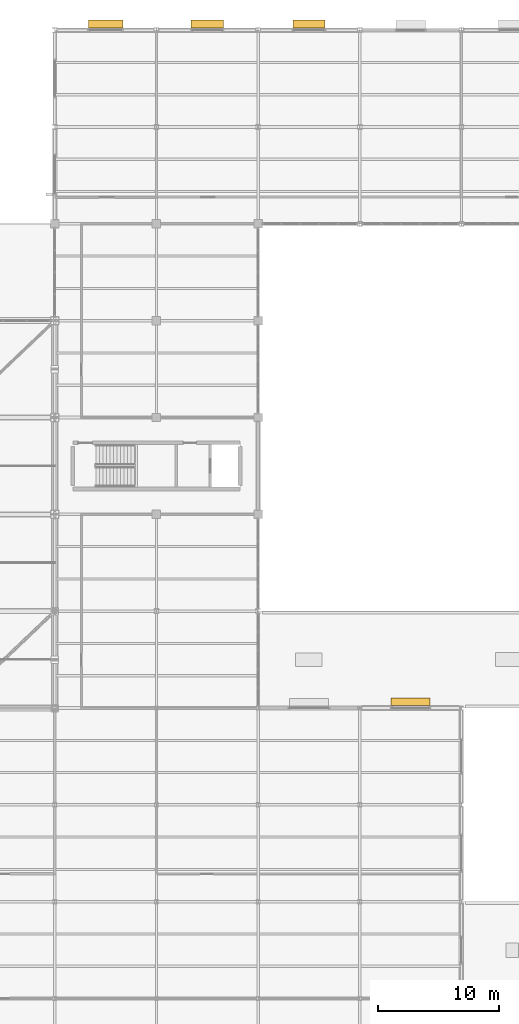
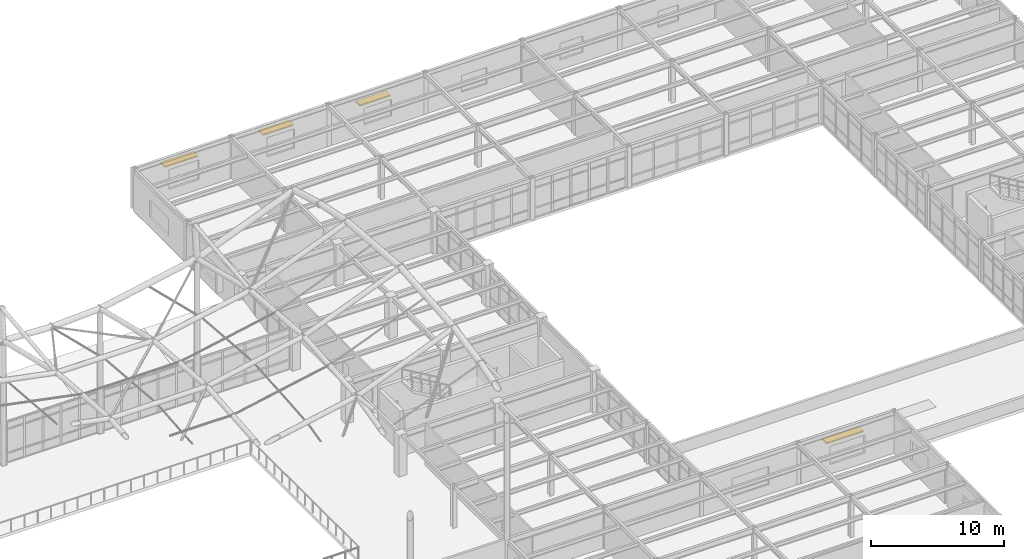
# One storey, part 136 of 138: 4 shading devices.
"""IFC4 building model written with IfcOpenShell, lengths in metres."""

from ifc_helpers import new_model, si_unit, direction, frame, origin, origin_2d, place, context, subcontext, project, spatial, rectangle, extrude, material, type_object, element, save


model = new_model("IFC4")

# Units and contexts
model_context = context("Model", 3, precision=1e-05, world=origin(), true_north=direction((0.0, 1.0)))
body_context = subcontext(model_context, "Body", "Model", "MODEL_VIEW")
ifc_project = project(units=[si_unit("LENGTHUNIT", "METRE"), si_unit("AREAUNIT", "SQUARE_METRE"), si_unit("VOLUMEUNIT", "CUBIC_METRE"), si_unit("PLANEANGLEUNIT", "RADIAN"), si_unit("MASSUNIT", "GRAM", prefix="KILO")], contexts=[model_context])

# Site, building, storey
site_placement = place(None, origin())
site = spatial("IfcSite", under=ifc_project, at=site_placement, CompositionType="ELEMENT")
building_placement = place(site_placement, origin())
building = spatial("IfcBuilding", under=site, at=building_placement, Name="Kranzveld Transit Interchange", CompositionType="ELEMENT")
storey_placement = place(building_placement, frame((0.0, 0.0, 5.43994140625)))
storey = spatial("IfcBuildingStorey", under=building, at=storey_placement, Name="L01", CompositionType="ELEMENT", Elevation=5.43994140625)

# Shading devices
ifc_material = material(Name="Bronze-anodised thermally broken aluminium", Category="aluminium")
shading_device_type = type_object("IfcShadingDeviceType", Name="North Overhang Solar Louvre Brise-Soleil", PredefinedType="JALOUSIE", material=ifc_material)
shading_device_1_placement = place(storey_placement, frame((105.0, 112.514892578125, 2.699951171875), z_axis=(0.0, 0.0, 1.0), x_axis=(1.0, 0.0, 0.0)))
element("IfcShadingDevice", 1, at=shading_device_1_placement, inside=storey, type_object=shading_device_type, Name="L01 North Solar Louvre 13/Q", PredefinedType="JALOUSIE", context=body_context, shape_type="SweptSolid", body=[
    extrude(rectangle(XDim=2.85009765625, YDim=0.64990234375, at=origin_2d()), origin(), (0.0, 0.0, 1.0), 0.1201171875),
])
for number, where, z_axis, x_axis, name in (
    (2, (113.39990234375, 112.514892578125, 2.64990234375), (0.0, 0.0, 1.0), (1.0, 0.0, 0.0), "L01 North Solar Louvre 14/Q"),
    (3, (121.800048828125, 112.514892578125, 2.39990234375), (0.0, 0.0, 1.0), (1.0, 0.0, 0.0), "L01 North Solar Louvre 15/Q"),
):
    element("IfcShadingDevice", number, at=place(storey_placement, frame(where, z_axis=z_axis, x_axis=x_axis)), inside=storey, type_object=shading_device_type, Name=name, PredefinedType="JALOUSIE", context=body_context, shape_type="SweptSolid", body=[
        extrude(rectangle(XDim=2.64990234375, YDim=0.64990234375, at=origin_2d()), origin(), (0.0, 0.0, 1.0), 0.1201171875),
    ])
shading_device_2_placement = place(storey_placement, frame((130.199951171875, 56.514892578125, 2.550048828125), z_axis=(0.0, 0.0, 1.0), x_axis=(1.0, 0.0, 0.0)))
element("IfcShadingDevice", 4, at=shading_device_2_placement, inside=storey, type_object=shading_device_type, Name="L01 North Solar Louvre 16/H", PredefinedType="JALOUSIE", context=body_context, shape_type="SweptSolid", body=[
    extrude(rectangle(XDim=3.199951171875, YDim=0.64990234375, at=origin_2d()), origin(), (0.0, 0.0, 1.0), 0.1201171875),
])

save(model, "model.ifc")
